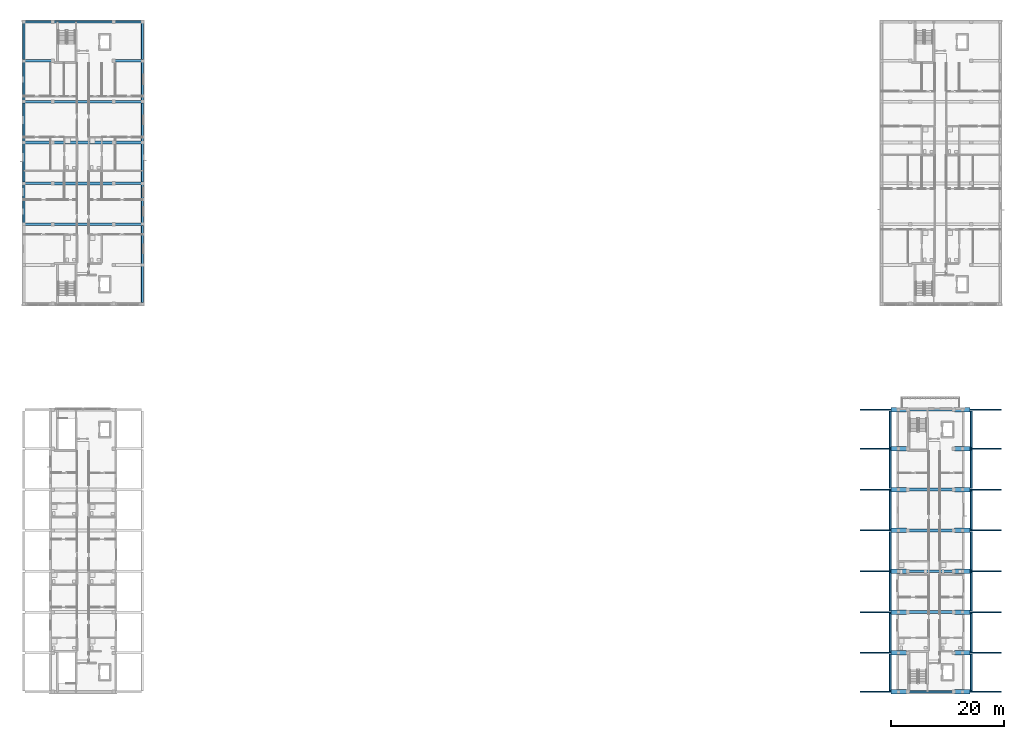
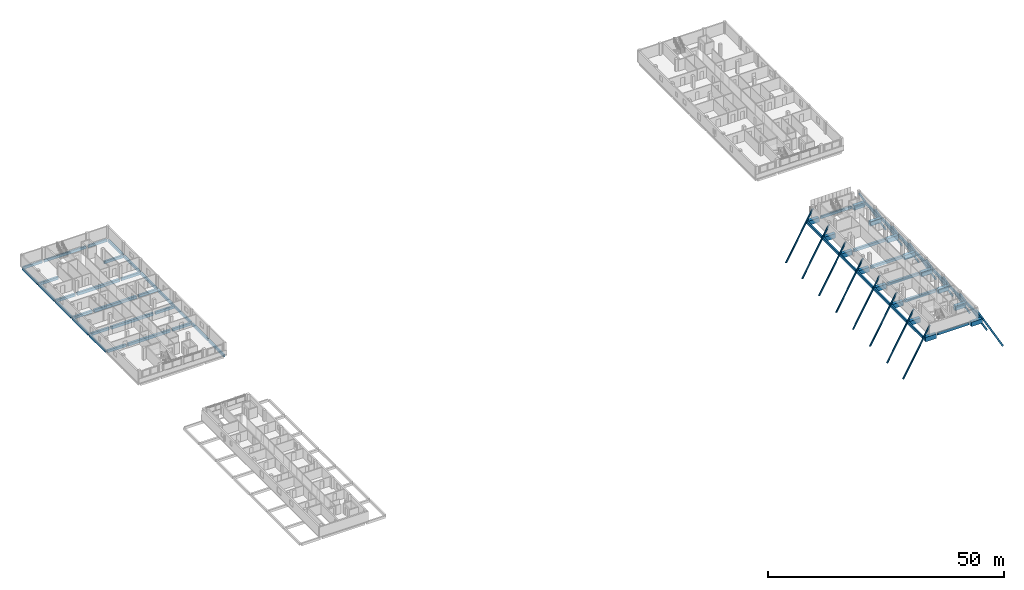
# One storey, part 5 of 34: 65 beams, 16 members.
"""IFC4 building model written with IfcOpenShell, lengths in metres."""

import ifcopenshell
import ifcopenshell.guid

model = None  # the IFC model being written
_history = None  # IfcOwnerHistory: only IFC2X3 demands one
_inside = {}  # id of a spatial element -> (the spatial element, [elements in it])
_under = {}  # id of a project, library or spatial element -> (it, [spatial elements below it])
_declared = {}  # id of a project -> (the project, [libraries it declares])
_typed = {}  # id of a type object -> (the type object, [elements of that type])
_made_of = {}  # id of a material, layer set ... -> (it, [elements and type objects made of it])


def new_model(schema):
    """Start an empty IFC model of exactly this schema.

    Asked for "IFC4X3", IfcOpenShell would pick the latest addendum, in which some entities
    have other attributes; the version numbers below select the first issue.
    IFC2X3 requires an IfcOwnerHistory on every rooted entity: one is made here for all.
    """
    global model, _history
    if schema == "IFC4X3":
        model = ifcopenshell.file(schema_version=(4, 3, 0, 0))
    else:
        model = ifcopenshell.file(schema=schema)
    _inside.clear()
    _under.clear()
    _declared.clear()
    _typed.clear()
    _made_of.clear()
    _history = None
    if model.schema == "IFC2X3":
        org = make("IfcOrganization", Name="unknown")
        user = make(
            "IfcPersonAndOrganization",
            ThePerson=make("IfcPerson", FamilyName="unknown"),
            TheOrganization=org,
        )
        app = make(
            "IfcApplication",
            ApplicationDeveloper=org,
            Version="unknown",
            ApplicationFullName="unknown",
            ApplicationIdentifier="unknown",
        )
        _history = make(
            "IfcOwnerHistory",
            OwningUser=user,
            OwningApplication=app,
            ChangeAction="ADDED",
            CreationDate=0,
        )
    return model


def make(cls, **values):
    """One entity of the class cls with the attributes given. An attribute that is None is left unset."""
    return model.create_entity(
        cls, **{name: value for name, value in values.items() if value is not None}
    )


def rooted(cls, **values):
    """An entity with a GlobalId (a new one), such as an element, a storey or a relation."""
    return make(cls, GlobalId=ifcopenshell.guid.new(), OwnerHistory=_history, **values)


def si_unit(unit_type, name, prefix=None):
    """IfcSIUnit, for example si_unit("LENGTHUNIT", "METRE", prefix="MILLI")."""
    return make("IfcSIUnit", UnitType=unit_type, Prefix=prefix, Name=name)


def derived_unit(unit_type, elements):
    """IfcDerivedUnit: a product of units, each with its exponent."""
    return make(
        "IfcDerivedUnit",
        Elements=[
            make("IfcDerivedUnitElement", Unit=unit, Exponent=power)
            for unit, power in elements
        ],
        UnitType=unit_type,
    )


def assignment(units):
    """IfcUnitAssignment: the units of a project."""
    return None if units is None else make("IfcUnitAssignment", Units=units)


def point(xyz):
    """IfcCartesianPoint."""
    return None if xyz is None else make("IfcCartesianPoint", Coordinates=xyz)


def direction(xyz):
    """IfcDirection."""
    return None if xyz is None else make("IfcDirection", DirectionRatios=xyz)


def frame(location, z_axis=None, x_axis=None):
    """IfcAxis2Placement3D, a coordinate frame: its origin and axes. An axis left out is left unset."""
    return make(
        "IfcAxis2Placement3D",
        Location=point(location),
        Axis=direction(z_axis),
        RefDirection=direction(x_axis),
    )


def frame_2d(location, x_axis=None):
    """IfcAxis2Placement2D, a coordinate frame in the plane: its origin and x axis."""
    return make(
        "IfcAxis2Placement2D", Location=point(location), RefDirection=direction(x_axis)
    )


def origin():
    """The frame at (0, 0, 0) with its axes left unset."""
    return frame((0.0, 0.0, 0.0))


def origin_2d():
    """The frame at (0, 0) in the plane with its x axis left unset."""
    return frame_2d((0.0, 0.0))


def place(relative_to, where):
    """IfcLocalPlacement: puts the frame where relative to a parent placement (None: the world)."""
    return make(
        "IfcLocalPlacement", PlacementRelTo=relative_to, RelativePlacement=where
    )


def context(
    kind, dimensions, precision=None, world=None, true_north=None, identifier=None
):
    """IfcGeometricRepresentationContext, for example the 3D "Model" context."""
    return make(
        "IfcGeometricRepresentationContext",
        ContextIdentifier=identifier,
        ContextType=kind,
        CoordinateSpaceDimension=dimensions,
        Precision=precision,
        WorldCoordinateSystem=world,
        TrueNorth=true_north,
    )


def subcontext(parent, identifier, kind, view, scale=None):
    """IfcGeometricRepresentationSubContext, for example "Body" below "Model"."""
    return make(
        "IfcGeometricRepresentationSubContext",
        ContextIdentifier=identifier,
        ContextType=kind,
        ParentContext=parent,
        TargetScale=scale,
        TargetView=view,
    )


def project(units=None, contexts=None):
    """IfcProject with its units and contexts."""
    return rooted(
        "IfcProject",
        Name="project",
        RepresentationContexts=contexts,
        UnitsInContext=assignment(units),
    )


def spatial(cls, under=None, at=None, **own):
    """A site, building, storey or space (cls), placed at a placement, below another one or the project."""
    s = rooted(cls, ObjectPlacement=at, **own)
    if under is not None:
        _under.setdefault(under.id(), (under, []))[1].append(s)
    return s


def profile(cls, at=None, kind="AREA", **sizes):
    """A parametric profile (cls). Its sizes go by their IFC names, for example OverallWidth=200.0."""
    return make(cls, ProfileType=kind, Position=at, **sizes)


def rectangle(**sizes):
    """IfcRectangleProfileDef."""
    return profile("IfcRectangleProfileDef", **sizes)


def i_section(**sizes):
    """IfcIShapeProfileDef."""
    return profile("IfcIShapeProfileDef", **sizes)


def extrude(swept, where, along, depth):
    """IfcExtrudedAreaSolid: the profile swept, set in the frame where, extruded along a direction by depth."""
    return make(
        "IfcExtrudedAreaSolid",
        SweptArea=swept,
        Position=where,
        ExtrudedDirection=direction(along),
        Depth=depth,
    )


def shape(context_of_items, identifier, shape_type, items):
    """IfcShapeRepresentation: the items that make up one representation, for example the "Body"."""
    return make(
        "IfcShapeRepresentation",
        ContextOfItems=context_of_items,
        RepresentationIdentifier=identifier,
        RepresentationType=shape_type,
        Items=items,
    )


def material(Name=None, Category=None):
    """IfcMaterial."""
    return make("IfcMaterial", Name=Name, Category=Category)


def material_profile(
    of_material, cross_section, Name=None, Category=None, Priority=None
):
    """IfcMaterialProfile: a cross section and its material."""
    return make(
        "IfcMaterialProfile",
        Name=Name,
        Material=of_material,
        Profile=cross_section,
        Priority=Priority,
        Category=Category,
    )


def profile_set(profiles, Name=None, composite=None):
    """IfcMaterialProfileSet."""
    return make(
        "IfcMaterialProfileSet",
        Name=Name,
        MaterialProfiles=profiles,
        CompositeProfile=composite,
    )


def made_of(thing, what):
    """Note that an element or type object is made of a material, layer set ...; save() writes the relation."""
    if what is not None:
        _made_of.setdefault(what.id(), (what, []))[1].append(thing)
    return thing


def type_object(cls, material=None, **own):
    """A type object (cls), such as IfcWallType, which elements share."""
    return made_of(rooted(cls, **own), material)


def element(
    cls,
    number,
    at=None,
    inside=None,
    cuts=None,
    type_object=None,
    material=None,
    context=None,
    identifier="Body",
    shape_type=None,
    held_by="IfcProductDefinitionShape",
    body=None,
    shapes=None,
    **own,
):
    """One element of the class cls, such as IfcWall. Its Tag is "e" and its number.

    at: its placement. inside: the storey or other place that contains it. cuts: it is an
    opening in that element (IfcRelVoidsElement). A single representation is given by context,
    identifier, shape_type and body (its items); several are given by shapes. held_by: the class
    of the entity that holds the representations. save() writes the other relations.
    """
    e = rooted(cls, Tag="e%d" % number, ObjectPlacement=at, **own)
    if body is not None:
        shapes = [shape(context, identifier, shape_type, body)]
    if shapes is not None:
        e.Representation = make(held_by, Representations=shapes)
    if inside is not None:
        _inside.setdefault(inside.id(), (inside, []))[1].append(e)
    if cuts is not None:
        rooted(
            "IfcRelVoidsElement", RelatingBuildingElement=cuts, RelatedOpeningElement=e
        )
    if type_object is not None:
        _typed.setdefault(type_object.id(), (type_object, []))[1].append(e)
    return made_of(e, material)


def aggregate(whole, parts):
    """IfcRelAggregates: a whole, such as a stair, and the parts it consists of."""
    return rooted("IfcRelAggregates", RelatingObject=whole, RelatedObjects=parts)


def save(model, path):
    """Write the relations noted so far, then the file.

    IfcRelAggregates (storeys below a building ...), IfcRelContainedInSpatialStructure (elements
    in a storey), IfcRelDefinesByType, IfcRelAssociatesMaterial and IfcRelDeclares: one each for
    every whole, place, type object, material and project.
    """
    for whole, parts in _under.values():
        aggregate(whole, parts)
    for where, things in _inside.values():
        rooted(
            "IfcRelContainedInSpatialStructure",
            RelatedElements=things,
            RelatingStructure=where,
        )
    for kind, things in _typed.values():
        rooted("IfcRelDefinesByType", RelatedObjects=things, RelatingType=kind)
    for what, things in _made_of.values():
        rooted("IfcRelAssociatesMaterial", RelatedObjects=things, RelatingMaterial=what)
    for by, libraries in _declared.values():
        rooted("IfcRelDeclares", RelatingContext=by, RelatedDefinitions=libraries)
    model.write(path)


model = new_model("IFC4")

# Units and contexts
model_context = context("Model", 3, precision=1e-05, world=origin(), true_north=direction((0.0, 1.0)))
body_context = subcontext(model_context, "Body", "Model", "MODEL_VIEW")
ifc_project = project(units=[si_unit("LENGTHUNIT", "METRE"), si_unit("AREAUNIT", "SQUARE_METRE"), si_unit("VOLUMEUNIT", "CUBIC_METRE"), si_unit("PLANEANGLEUNIT", "RADIAN"), si_unit("MASSUNIT", "GRAM", prefix="KILO"), derived_unit("THERMALTRANSMITTANCEUNIT", [(si_unit("MASSUNIT", "GRAM", prefix="KILO"), 1), (si_unit("TIMEUNIT", "SECOND"), -3), (si_unit("THERMODYNAMICTEMPERATUREUNIT", "KELVIN"), -1)])], contexts=[model_context])

# Site, building, storey
site_placement = place(None, origin())
site = spatial("IfcSite", under=ifc_project, at=site_placement, CompositionType="ELEMENT")
building_placement = place(site_placement, origin())
building = spatial("IfcBuilding", under=site, at=building_placement, Name="Ochrekiln Boulevard Commons", CompositionType="ELEMENT")
storey_placement = place(building_placement, frame((0.0, 0.0, 27.824951171875)))
storey = spatial("IfcBuildingStorey", under=building, at=storey_placement, Name="L08", CompositionType="ELEMENT", Elevation=27.824951171875)

# Beams
ifc_material_1 = material(Name="Concrete C35/45", Category="concrete")
ifc_material_profile_1 = material_profile(ifc_material_1, rectangle(XDim=0.449951171875, YDim=0.64990234375, at=origin_2d()), Name="RC-BM-450x650")
ifc_profile_set_1 = profile_set([ifc_material_profile_1], Name="Concrete C35/45")
beam_type_1 = type_object("IfcBeamType", Name="BM-RC-450x650", PredefinedType="BEAM", material=ifc_profile_set_1)
beam_1_placement = place(storey_placement, frame((0.56005859375, 82.800048828125, -0.574951171875), z_axis=(1.0, 0.0, 0.0), x_axis=(0.0, 1.0, 0.0)))
element("IfcBeam", 1, at=beam_1_placement, inside=storey, type_object=beam_type_1, Name="Block A L08 Beam B-4565 X6", PredefinedType="BEAM", context=body_context, shape_type="SweptSolid", body=[
    extrude(rectangle(XDim=0.449951171875, YDim=0.64990234375, at=origin_2d()), origin(), (0.0, 0.0, 1.0), 4.6298828125),
])
beam_2_placement = place(storey_placement, frame((16.409912109375, 82.800048828125, -0.574951171875), z_axis=(1.0, 0.0, 0.0), x_axis=(0.0, 1.0, 0.0)))
element("IfcBeam", 2, at=beam_2_placement, inside=storey, type_object=beam_type_1, Name="Block A L08 Beam B-4565 X8", PredefinedType="BEAM", context=body_context, shape_type="SweptSolid", body=[
    extrude(rectangle(XDim=0.449951171875, YDim=0.64990234375, at=origin_2d()), origin(), (0.0, 0.0, 1.0), 4.630126953125),
])
beam_3_placement = place(storey_placement, frame((0.56005859375, 90.0, -0.574951171875), z_axis=(1.0, 0.0, 0.0), x_axis=(0.0, 1.0, 0.0)))
element("IfcBeam", 3, at=beam_3_placement, inside=storey, type_object=beam_type_1, Name="Block A L08 Beam B-4565 X9", PredefinedType="BEAM", context=body_context, shape_type="SweptSolid", body=[
    extrude(rectangle(XDim=0.449951171875, YDim=0.64990234375, at=origin_2d()), origin(), (0.0, 0.0, 1.0), 4.6298828125),
])
beam_4_placement = place(storey_placement, frame((16.409912109375, 90.0, -0.574951171875), z_axis=(1.0, 0.0, 0.0), x_axis=(0.0, 1.0, 0.0)))
element("IfcBeam", 4, at=beam_4_placement, inside=storey, type_object=beam_type_1, Name="Block A L08 Beam B-4565 X11", PredefinedType="BEAM", context=body_context, shape_type="SweptSolid", body=[
    extrude(rectangle(XDim=0.449951171875, YDim=0.64990234375, at=origin_2d()), origin(), (0.0, 0.0, 1.0), 4.630126953125),
])
beam_5_placement = place(storey_placement, frame((0.56005859375, 97.199951171875, -0.574951171875), z_axis=(1.0, 0.0, 0.0), x_axis=(0.0, 1.0, 0.0)))
element("IfcBeam", 5, at=beam_5_placement, inside=storey, type_object=beam_type_1, Name="Block A L08 Beam B-4565 X12", PredefinedType="BEAM", context=body_context, shape_type="SweptSolid", body=[
    extrude(rectangle(XDim=0.449951171875, YDim=0.64990234375, at=origin_2d()), origin(), (0.0, 0.0, 1.0), 4.6298828125),
])
beam_6_placement = place(storey_placement, frame((16.409912109375, 97.199951171875, -0.574951171875), z_axis=(1.0, 0.0, 0.0), x_axis=(0.0, 1.0, 0.0)))
element("IfcBeam", 6, at=beam_6_placement, inside=storey, type_object=beam_type_1, Name="Block A L08 Beam B-4565 X14", PredefinedType="BEAM", context=body_context, shape_type="SweptSolid", body=[
    extrude(rectangle(XDim=0.449951171875, YDim=0.64990234375, at=origin_2d()), origin(), (0.0, 0.0, 1.0), 4.630126953125),
])
beam_7_placement = place(storey_placement, frame((0.56005859375, 104.39990234375, -0.574951171875), z_axis=(1.0, 0.0, 0.0), x_axis=(0.0, 1.0, 0.0)))
element("IfcBeam", 7, at=beam_7_placement, inside=storey, type_object=beam_type_1, Name="Block A L08 Beam B-4565 X15", PredefinedType="BEAM", context=body_context, shape_type="SweptSolid", body=[
    extrude(rectangle(XDim=0.449951171875, YDim=0.64990234375, at=origin_2d()), origin(), (0.0, 0.0, 1.0), 4.6298828125),
])
beam_8_placement = place(storey_placement, frame((16.409912109375, 104.39990234375, -0.574951171875), z_axis=(1.0, 0.0, 0.0), x_axis=(0.0, 1.0, 0.0)))
element("IfcBeam", 8, at=beam_8_placement, inside=storey, type_object=beam_type_1, Name="Block A L08 Beam B-4565 X17", PredefinedType="BEAM", context=body_context, shape_type="SweptSolid", body=[
    extrude(rectangle(XDim=0.449951171875, YDim=0.64990234375, at=origin_2d()), origin(), (0.0, 0.0, 1.0), 4.630126953125),
])
beam_9_placement = place(storey_placement, frame((0.56005859375, 111.60009765625, -0.574951171875), z_axis=(1.0, 0.0, 0.0), x_axis=(0.0, 1.0, 0.0)))
element("IfcBeam", 9, at=beam_9_placement, inside=storey, type_object=beam_type_1, Name="Block A L08 Beam B-4565 X18", PredefinedType="BEAM", context=body_context, shape_type="SweptSolid", body=[
    extrude(rectangle(XDim=0.449951171875, YDim=0.64990234375, at=origin_2d()), origin(), (0.0, 0.0, 1.0), 4.6298828125),
])
beam_10_placement = place(storey_placement, frame((16.409912109375, 111.60009765625, -0.574951171875), z_axis=(1.0, 0.0, 0.0), x_axis=(0.0, 1.0, 0.0)))
element("IfcBeam", 10, at=beam_10_placement, inside=storey, type_object=beam_type_1, Name="Block A L08 Beam B-4565 X19", PredefinedType="BEAM", context=body_context, shape_type="SweptSolid", body=[
    extrude(rectangle(XDim=0.449951171875, YDim=0.64990234375, at=origin_2d()), origin(), (0.0, 0.0, 1.0), 4.630126953125),
])
ifc_material_2 = material(Name="Concrete C40/50", Category="concrete")
ifc_material_profile_2 = material_profile(ifc_material_2, rectangle(XDim=0.5, YDim=0.699951171875, at=origin_2d()), Name="RC-BM-500x700")
ifc_profile_set_2 = profile_set([ifc_material_profile_2], Name="Concrete C40/50")
beam_type_2 = type_object("IfcBeamType", Name="BM-RC-500x700", PredefinedType="BEAM", material=ifc_profile_set_2)
for number, where, z_axis, x_axis, name in (
    (11, (5.610107421875, 82.800048828125, -0.599853515625), (1.0, 0.0, 0.0), (0.0, 1.0, 0.0), "Block A L08 Beam B-5070 X7"),
    (12, (5.610107421875, 90.0, -0.599853515625), (1.0, 0.0, 0.0), (0.0, 1.0, 0.0), "Block A L08 Beam B-5070 X10"),
    (13, (5.610107421875, 97.199951171875, -0.599853515625), (1.0, 0.0, 0.0), (0.0, 1.0, 0.0), "Block A L08 Beam B-5070 X13"),
    (14, (5.610107421875, 104.39990234375, -0.599853515625), (1.0, 0.0, 0.0), (0.0, 1.0, 0.0), "Block A L08 Beam B-5070 X16"),
):
    element("IfcBeam", number, at=place(storey_placement, frame(where, z_axis=z_axis, x_axis=x_axis)), inside=storey, type_object=beam_type_2, Name=name, PredefinedType="BEAM", context=body_context, shape_type="SweptSolid", body=[
        extrude(rectangle(XDim=0.5, YDim=0.699951171875, at=origin_2d()), origin(), (0.0, 0.0, 1.0), 10.3798828125),
    ])
for number, where, z_axis, x_axis, name in (
    (15, (156.360107421875, 14.39990234375, -0.599853515625), (1.0, 0.0, 0.0), (0.0, 1.0, 0.0), "Block C L08 Beam B-5070 X7"),
    (16, (156.360107421875, 21.60009765625, -0.599853515625), (1.0, 0.0, 0.0), (0.0, 1.0, 0.0), "Block C L08 Beam B-5070 X10"),
    (17, (156.360107421875, 28.800048828125, -0.599853515625), (1.0, 0.0, 0.0), (0.0, 1.0, 0.0), "Block C L08 Beam B-5070 X13"),
    (18, (156.360107421875, 36.0, -0.599853515625), (1.0, 0.0, 0.0), (0.0, 1.0, 0.0), "Block C L08 Beam B-5070 X16"),
):
    element("IfcBeam", number, at=place(storey_placement, frame(where, z_axis=z_axis, x_axis=x_axis)), inside=storey, type_object=beam_type_2, Name=name, PredefinedType="BEAM", context=body_context, shape_type="SweptSolid", body=[
        extrude(rectangle(XDim=0.5, YDim=0.699951171875, at=origin_2d()), origin(), (0.0, 0.0, 1.0), 7.679931640625),
    ])
ifc_material_profile_3 = material_profile(ifc_material_2, rectangle(XDim=0.800048828125, YDim=1.14990234375, at=origin_2d()), Name="RC-TRG-800x1150")
ifc_profile_set_3 = profile_set([ifc_material_profile_3], Name="Concrete C40/50")
beam_type_3 = type_object("IfcBeamType", Name="BM-TRG-800x1150", PredefinedType="BEAM", material=ifc_profile_set_3)
for number, where, z_axis, x_axis, name in (
    (19, (153.260009765625, 0.35009765625, -0.824951171875), (1.0, 0.0, 0.0), (0.0, 1.0, 0.0), "Block C L08 Beam TG-01 X1"),
    (20, (164.4599609375, 0.35009765625, -0.824951171875), (1.0, 0.0, 0.0), (0.0, 1.0, 0.0), "Block C L08 Beam TG-01 X3"),
    (21, (153.260009765625, 7.199951171875, -0.824951171875), (1.0, 0.0, 0.0), (0.0, 1.0, 0.0), "Block C L08 Beam TG-01 X4"),
    (22, (164.4599609375, 7.199951171875, -0.824951171875), (1.0, 0.0, 0.0), (0.0, 1.0, 0.0), "Block C L08 Beam TG-01 X5"),
    (23, (153.260009765625, 14.39990234375, -0.824951171875), (1.0, 0.0, 0.0), (0.0, 1.0, 0.0), "Block C L08 Beam TG-01 X6"),
    (24, (164.4599609375, 14.39990234375, -0.824951171875), (1.0, 0.0, 0.0), (0.0, 1.0, 0.0), "Block C L08 Beam TG-01 X8"),
    (25, (153.260009765625, 21.60009765625, -0.824951171875), (1.0, 0.0, 0.0), (0.0, 1.0, 0.0), "Block C L08 Beam TG-01 X9"),
    (26, (164.4599609375, 21.60009765625, -0.824951171875), (1.0, 0.0, 0.0), (0.0, 1.0, 0.0), "Block C L08 Beam TG-01 X11"),
    (27, (153.260009765625, 28.800048828125, -0.824951171875), (1.0, 0.0, 0.0), (0.0, 1.0, 0.0), "Block C L08 Beam TG-01 X12"),
    (28, (164.4599609375, 28.800048828125, -0.824951171875), (1.0, 0.0, 0.0), (0.0, 1.0, 0.0), "Block C L08 Beam TG-01 X14"),
    (29, (153.260009765625, 36.0, -0.824951171875), (1.0, 0.0, 0.0), (0.0, 1.0, 0.0), "Block C L08 Beam TG-01 X15"),
    (30, (164.4599609375, 36.0, -0.824951171875), (1.0, 0.0, 0.0), (0.0, 1.0, 0.0), "Block C L08 Beam TG-01 X17"),
    (31, (153.260009765625, 43.199951171875, -0.824951171875), (1.0, 0.0, 0.0), (0.0, 1.0, 0.0), "Block C L08 Beam TG-01 X18"),
    (32, (164.4599609375, 43.199951171875, -0.824951171875), (1.0, 0.0, 0.0), (0.0, 1.0, 0.0), "Block C L08 Beam TG-01 X19"),
    (33, (153.260009765625, 50.050048828125, -0.824951171875), (1.0, 0.0, 0.0), (0.0, 1.0, 0.0), "Block C L08 Beam TG-01 X20"),
    (34, (164.4599609375, 50.050048828125, -0.824951171875), (1.0, 0.0, 0.0), (0.0, 1.0, 0.0), "Block C L08 Beam TG-01 X22"),
):
    element("IfcBeam", number, at=place(storey_placement, frame(where, z_axis=z_axis, x_axis=x_axis)), inside=storey, type_object=beam_type_3, Name=name, PredefinedType="BEAM", context=body_context, shape_type="SweptSolid", body=[
        extrude(rectangle(XDim=0.800048828125, YDim=1.14990234375, at=origin_2d()), origin(), (0.0, 0.0, 1.0), 2.679931640625),
    ])

# Members
ifc_material_3 = material(Name="Steel A992 Grade 50", Category="steel")
ifc_material_profile_4 = material_profile(ifc_material_3, i_section(OverallWidth=0.177978515625, OverallDepth=0.403076171875, WebThickness=0.007568359375, FlangeThickness=0.010986328125, at=origin_2d()), Name="W16X36")
ifc_profile_set_4 = profile_set([ifc_material_profile_4], Name="Steel A992 Grade 50")
member_type = type_object("IfcMemberType", Name="MEM-RAF-W16X36", PredefinedType="RAFTER", material=ifc_profile_set_4)
member_1_placement = place(storey_placement, frame((147.949951171875, 0.35009765625, -9.449951171875), z_axis=(0.488156825034, 0.0, 0.872755930471), x_axis=(0.0, 1.0, 0.0)))
element("IfcMember", 35, at=member_1_placement, inside=storey, type_object=member_type, Name="Block C Mid-Slope Rafter 1W", PredefinedType="RAFTER", context=body_context, shape_type="SweptSolid", body=[
    extrude(i_section(OverallWidth=0.177978515625, OverallDepth=0.403076171875, WebThickness=0.007568359375, FlangeThickness=0.010986328125, at=origin_2d()), origin(), (0.0, 0.0, 1.0), 13.5205078125),
])
member_2_placement = place(storey_placement, frame((172.449951171875, 0.35009765625, -9.449951171875), z_axis=(-0.488143070673, 0.0, 0.872763623528), x_axis=(0.0, -1.0, 0.0)))
element("IfcMember", 36, at=member_2_placement, inside=storey, type_object=member_type, Name="Block C Mid-Slope Rafter 1E", PredefinedType="RAFTER", context=body_context, shape_type="SweptSolid", body=[
    extrude(i_section(OverallWidth=0.177978515625, OverallDepth=0.403076171875, WebThickness=0.007568359375, FlangeThickness=0.010986328125, at=origin_2d()), origin(), (0.0, 0.0, 1.0), 13.520263671875),
])
member_3_placement = place(storey_placement, frame((147.949951171875, 7.199951171875, -9.449951171875), z_axis=(0.488156825034, 0.0, 0.872755930471), x_axis=(0.0, 1.0, 0.0)))
element("IfcMember", 37, at=member_3_placement, inside=storey, type_object=member_type, Name="Block C Mid-Slope Rafter 2W", PredefinedType="RAFTER", context=body_context, shape_type="SweptSolid", body=[
    extrude(i_section(OverallWidth=0.177978515625, OverallDepth=0.403076171875, WebThickness=0.007568359375, FlangeThickness=0.010986328125, at=origin_2d()), origin(), (0.0, 0.0, 1.0), 13.5205078125),
])
member_4_placement = place(storey_placement, frame((172.449951171875, 7.199951171875, -9.449951171875), z_axis=(-0.488143070673, 0.0, 0.872763623528), x_axis=(0.0, -1.0, 0.0)))
element("IfcMember", 38, at=member_4_placement, inside=storey, type_object=member_type, Name="Block C Mid-Slope Rafter 2E", PredefinedType="RAFTER", context=body_context, shape_type="SweptSolid", body=[
    extrude(i_section(OverallWidth=0.177978515625, OverallDepth=0.403076171875, WebThickness=0.007568359375, FlangeThickness=0.010986328125, at=origin_2d()), origin(), (0.0, 0.0, 1.0), 13.520263671875),
])
member_5_placement = place(storey_placement, frame((147.949951171875, 14.39990234375, -9.449951171875), z_axis=(0.488156825034, 0.0, 0.872755930471), x_axis=(0.0, 1.0, 0.0)))
element("IfcMember", 39, at=member_5_placement, inside=storey, type_object=member_type, Name="Block C Mid-Slope Rafter 3W", PredefinedType="RAFTER", context=body_context, shape_type="SweptSolid", body=[
    extrude(i_section(OverallWidth=0.177978515625, OverallDepth=0.403076171875, WebThickness=0.007568359375, FlangeThickness=0.010986328125, at=origin_2d()), origin(), (0.0, 0.0, 1.0), 13.5205078125),
])
member_6_placement = place(storey_placement, frame((172.449951171875, 14.39990234375, -9.449951171875), z_axis=(-0.488143070673, 0.0, 0.872763623528), x_axis=(0.0, -1.0, 0.0)))
element("IfcMember", 40, at=member_6_placement, inside=storey, type_object=member_type, Name="Block C Mid-Slope Rafter 3E", PredefinedType="RAFTER", context=body_context, shape_type="SweptSolid", body=[
    extrude(i_section(OverallWidth=0.177978515625, OverallDepth=0.403076171875, WebThickness=0.007568359375, FlangeThickness=0.010986328125, at=origin_2d()), origin(), (0.0, 0.0, 1.0), 13.520263671875),
])
member_7_placement = place(storey_placement, frame((147.949951171875, 21.60009765625, -9.449951171875), z_axis=(0.488156825034, 0.0, 0.872755930471), x_axis=(0.0, 1.0, 0.0)))
element("IfcMember", 41, at=member_7_placement, inside=storey, type_object=member_type, Name="Block C Mid-Slope Rafter 4W", PredefinedType="RAFTER", context=body_context, shape_type="SweptSolid", body=[
    extrude(i_section(OverallWidth=0.177978515625, OverallDepth=0.403076171875, WebThickness=0.007568359375, FlangeThickness=0.010986328125, at=origin_2d()), origin(), (0.0, 0.0, 1.0), 13.5205078125),
])
member_8_placement = place(storey_placement, frame((172.449951171875, 21.60009765625, -9.449951171875), z_axis=(-0.488143070673, 0.0, 0.872763623528), x_axis=(0.0, -1.0, 0.0)))
element("IfcMember", 42, at=member_8_placement, inside=storey, type_object=member_type, Name="Block C Mid-Slope Rafter 4E", PredefinedType="RAFTER", context=body_context, shape_type="SweptSolid", body=[
    extrude(i_section(OverallWidth=0.177978515625, OverallDepth=0.403076171875, WebThickness=0.007568359375, FlangeThickness=0.010986328125, at=origin_2d()), origin(), (0.0, 0.0, 1.0), 13.520263671875),
])
member_9_placement = place(storey_placement, frame((147.949951171875, 28.800048828125, -9.449951171875), z_axis=(0.488156825034, 0.0, 0.872755930471), x_axis=(0.0, 1.0, 0.0)))
element("IfcMember", 43, at=member_9_placement, inside=storey, type_object=member_type, Name="Block C Mid-Slope Rafter 5W", PredefinedType="RAFTER", context=body_context, shape_type="SweptSolid", body=[
    extrude(i_section(OverallWidth=0.177978515625, OverallDepth=0.403076171875, WebThickness=0.007568359375, FlangeThickness=0.010986328125, at=origin_2d()), origin(), (0.0, 0.0, 1.0), 13.5205078125),
])
member_10_placement = place(storey_placement, frame((172.449951171875, 28.800048828125, -9.449951171875), z_axis=(-0.488143070673, 0.0, 0.872763623528), x_axis=(0.0, -1.0, 0.0)))
element("IfcMember", 44, at=member_10_placement, inside=storey, type_object=member_type, Name="Block C Mid-Slope Rafter 5E", PredefinedType="RAFTER", context=body_context, shape_type="SweptSolid", body=[
    extrude(i_section(OverallWidth=0.177978515625, OverallDepth=0.403076171875, WebThickness=0.007568359375, FlangeThickness=0.010986328125, at=origin_2d()), origin(), (0.0, 0.0, 1.0), 13.520263671875),
])
member_11_placement = place(storey_placement, frame((147.949951171875, 36.0, -9.449951171875), z_axis=(0.488156825034, 0.0, 0.872755930471), x_axis=(0.0, 1.0, 0.0)))
element("IfcMember", 45, at=member_11_placement, inside=storey, type_object=member_type, Name="Block C Mid-Slope Rafter 6W", PredefinedType="RAFTER", context=body_context, shape_type="SweptSolid", body=[
    extrude(i_section(OverallWidth=0.177978515625, OverallDepth=0.403076171875, WebThickness=0.007568359375, FlangeThickness=0.010986328125, at=origin_2d()), origin(), (0.0, 0.0, 1.0), 13.5205078125),
])
member_12_placement = place(storey_placement, frame((172.449951171875, 36.0, -9.449951171875), z_axis=(-0.488143070673, 0.0, 0.872763623528), x_axis=(0.0, -1.0, 0.0)))
element("IfcMember", 46, at=member_12_placement, inside=storey, type_object=member_type, Name="Block C Mid-Slope Rafter 6E", PredefinedType="RAFTER", context=body_context, shape_type="SweptSolid", body=[
    extrude(i_section(OverallWidth=0.177978515625, OverallDepth=0.403076171875, WebThickness=0.007568359375, FlangeThickness=0.010986328125, at=origin_2d()), origin(), (0.0, 0.0, 1.0), 13.520263671875),
])
member_13_placement = place(storey_placement, frame((147.949951171875, 43.199951171875, -9.449951171875), z_axis=(0.488156825034, 0.0, 0.872755930471), x_axis=(0.0, 1.0, 0.0)))
element("IfcMember", 47, at=member_13_placement, inside=storey, type_object=member_type, Name="Block C Mid-Slope Rafter 7W", PredefinedType="RAFTER", context=body_context, shape_type="SweptSolid", body=[
    extrude(i_section(OverallWidth=0.177978515625, OverallDepth=0.403076171875, WebThickness=0.007568359375, FlangeThickness=0.010986328125, at=origin_2d()), origin(), (0.0, 0.0, 1.0), 13.5205078125),
])
member_14_placement = place(storey_placement, frame((172.449951171875, 43.199951171875, -9.449951171875), z_axis=(-0.488143070673, 0.0, 0.872763623528), x_axis=(0.0, -1.0, 0.0)))
element("IfcMember", 48, at=member_14_placement, inside=storey, type_object=member_type, Name="Block C Mid-Slope Rafter 7E", PredefinedType="RAFTER", context=body_context, shape_type="SweptSolid", body=[
    extrude(i_section(OverallWidth=0.177978515625, OverallDepth=0.403076171875, WebThickness=0.007568359375, FlangeThickness=0.010986328125, at=origin_2d()), origin(), (0.0, 0.0, 1.0), 13.520263671875),
])
member_15_placement = place(storey_placement, frame((147.949951171875, 50.050048828125, -9.449951171875), z_axis=(0.488156825034, 0.0, 0.872755930471), x_axis=(0.0, 1.0, 0.0)))
element("IfcMember", 49, at=member_15_placement, inside=storey, type_object=member_type, Name="Block C Mid-Slope Rafter 8W", PredefinedType="RAFTER", context=body_context, shape_type="SweptSolid", body=[
    extrude(i_section(OverallWidth=0.177978515625, OverallDepth=0.403076171875, WebThickness=0.007568359375, FlangeThickness=0.010986328125, at=origin_2d()), origin(), (0.0, 0.0, 1.0), 13.5205078125),
])
member_16_placement = place(storey_placement, frame((172.449951171875, 50.050048828125, -9.449951171875), z_axis=(-0.488143070673, 0.0, 0.872763623528), x_axis=(0.0, -1.0, 0.0)))
element("IfcMember", 50, at=member_16_placement, inside=storey, type_object=member_type, Name="Block C Mid-Slope Rafter 8E", PredefinedType="RAFTER", context=body_context, shape_type="SweptSolid", body=[
    extrude(i_section(OverallWidth=0.177978515625, OverallDepth=0.403076171875, WebThickness=0.007568359375, FlangeThickness=0.010986328125, at=origin_2d()), origin(), (0.0, 0.0, 1.0), 13.520263671875),
])

# Beams
ifc_material_profile_5 = material_profile(ifc_material_2, rectangle(XDim=0.35009765625, YDim=0.64990234375, at=origin_2d()), Name="RC-SPN-350x650")
ifc_profile_set_5 = profile_set([ifc_material_profile_5], Name="Concrete C40/50")
beam_type_4 = type_object("IfcBeamType", Name="SPN-RC-350x650", PredefinedType="SPANDREL", material=ifc_profile_set_5)
beam_11_placement = place(storey_placement, frame((0.56005859375, 118.449951171875, -0.574951171875), z_axis=(1.0, 0.0, 0.0), x_axis=(0.0, 1.0, 0.0)))
element("IfcBeam", 51, at=beam_11_placement, inside=storey, type_object=beam_type_4, Name="Block A L08 Beam SP-3565 X20", PredefinedType="SPANDREL", context=body_context, shape_type="SweptSolid", body=[
    extrude(rectangle(XDim=0.35009765625, YDim=0.64990234375, at=origin_2d()), origin(), (0.0, 0.0, 1.0), 4.6298828125),
])
beam_12_placement = place(storey_placement, frame((5.610107421875, 118.449951171875, -0.574951171875), z_axis=(1.0, 0.0, 0.0), x_axis=(0.0, 1.0, 0.0)))
element("IfcBeam", 52, at=beam_12_placement, inside=storey, type_object=beam_type_4, Name="Block A L08 Beam SP-3565 X21", PredefinedType="SPANDREL", context=body_context, shape_type="SweptSolid", body=[
    extrude(rectangle(XDim=0.35009765625, YDim=0.64990234375, at=origin_2d()), origin(), (0.0, 0.0, 1.0), 10.3798828125),
])
beam_13_placement = place(storey_placement, frame((16.409912109375, 118.449951171875, -0.574951171875), z_axis=(1.0, 0.0, 0.0), x_axis=(0.0, 1.0, 0.0)))
element("IfcBeam", 53, at=beam_13_placement, inside=storey, type_object=beam_type_4, Name="Block A L08 Beam SP-3565 X22", PredefinedType="SPANDREL", context=body_context, shape_type="SweptSolid", body=[
    extrude(rectangle(XDim=0.35009765625, YDim=0.64990234375, at=origin_2d()), origin(), (0.0, 0.0, 1.0), 4.630126953125),
])
for number, where, z_axis, x_axis, name in (
    (54, (0.35009765625, 83.010009765625, -0.574951171875), (0.0, 1.0, 0.0), (-1.0, 0.0, 0.0), "Block A L08 Beam SP-3565 Y25"),
    (55, (0.35009765625, 90.2099609375, -0.574951171875), (0.0, 1.0, 0.0), (-1.0, 0.0, 0.0), "Block A L08 Beam SP-3565 Y26"),
    (56, (0.35009765625, 97.409912109375, -0.574951171875), (0.0, 1.0, 0.0), (-1.0, 0.0, 0.0), "Block A L08 Beam SP-3565 Y27"),
):
    element("IfcBeam", number, at=place(storey_placement, frame(where, z_axis=z_axis, x_axis=x_axis)), inside=storey, type_object=beam_type_4, Name=name, PredefinedType="SPANDREL", context=body_context, shape_type="SweptSolid", body=[
        extrude(rectangle(XDim=0.35009765625, YDim=0.64990234375, at=origin_2d()), origin(), (0.0, 0.0, 1.0), 6.780029296875),
    ])
beam_14_placement = place(storey_placement, frame((0.35009765625, 104.610107421875, -0.574951171875), z_axis=(0.0, 1.0, 0.0), x_axis=(-1.0, 0.0, 0.0)))
element("IfcBeam", 57, at=beam_14_placement, inside=storey, type_object=beam_type_4, Name="Block A L08 Beam SP-3565 Y28", PredefinedType="SPANDREL", context=body_context, shape_type="SweptSolid", body=[
    extrude(rectangle(XDim=0.35009765625, YDim=0.64990234375, at=origin_2d()), origin(), (0.0, 0.0, 1.0), 6.77978515625),
])
for number, where, z_axis, x_axis, name in (
    (58, (0.35009765625, 111.81005859375, -0.574951171875), (0.0, 1.0, 0.0), (-1.0, 0.0, 0.0), "Block A L08 Beam SP-3565 Y29"),
    (59, (21.25, 68.9599609375, -0.574951171875), (0.0, 1.0, 0.0), (-1.0, 0.0, 0.0), "Block A L08 Beam SP-3565 Y30"),
):
    element("IfcBeam", number, at=place(storey_placement, frame(where, z_axis=z_axis, x_axis=x_axis)), inside=storey, type_object=beam_type_4, Name=name, PredefinedType="SPANDREL", context=body_context, shape_type="SweptSolid", body=[
        extrude(rectangle(XDim=0.35009765625, YDim=0.64990234375, at=origin_2d()), origin(), (0.0, 0.0, 1.0), 6.429931640625),
    ])
for number, where, z_axis, x_axis, name in (
    (60, (21.25, 75.81005859375, -0.574951171875), (0.0, 1.0, 0.0), (-1.0, 0.0, 0.0), "Block A L08 Beam SP-3565 Y31"),
    (61, (21.25, 83.010009765625, -0.574951171875), (0.0, 1.0, 0.0), (-1.0, 0.0, 0.0), "Block A L08 Beam SP-3565 Y32"),
    (62, (21.25, 90.2099609375, -0.574951171875), (0.0, 1.0, 0.0), (-1.0, 0.0, 0.0), "Block A L08 Beam SP-3565 Y33"),
    (63, (21.25, 97.409912109375, -0.574951171875), (0.0, 1.0, 0.0), (-1.0, 0.0, 0.0), "Block A L08 Beam SP-3565 Y34"),
):
    element("IfcBeam", number, at=place(storey_placement, frame(where, z_axis=z_axis, x_axis=x_axis)), inside=storey, type_object=beam_type_4, Name=name, PredefinedType="SPANDREL", context=body_context, shape_type="SweptSolid", body=[
        extrude(rectangle(XDim=0.35009765625, YDim=0.64990234375, at=origin_2d()), origin(), (0.0, 0.0, 1.0), 6.780029296875),
    ])
beam_15_placement = place(storey_placement, frame((21.25, 104.610107421875, -0.574951171875), z_axis=(0.0, 1.0, 0.0), x_axis=(-1.0, 0.0, 0.0)))
element("IfcBeam", 64, at=beam_15_placement, inside=storey, type_object=beam_type_4, Name="Block A L08 Beam SP-3565 Y35", PredefinedType="SPANDREL", context=body_context, shape_type="SweptSolid", body=[
    extrude(rectangle(XDim=0.35009765625, YDim=0.64990234375, at=origin_2d()), origin(), (0.0, 0.0, 1.0), 6.77978515625),
])
beam_16_placement = place(storey_placement, frame((21.25, 111.81005859375, -0.574951171875), z_axis=(0.0, 1.0, 0.0), x_axis=(-1.0, 0.0, 0.0)))
element("IfcBeam", 65, at=beam_16_placement, inside=storey, type_object=beam_type_4, Name="Block A L08 Beam SP-3565 Y36", PredefinedType="SPANDREL", context=body_context, shape_type="SweptSolid", body=[
    extrude(rectangle(XDim=0.35009765625, YDim=0.64990234375, at=origin_2d()), origin(), (0.0, 0.0, 1.0), 6.429931640625),
])
for number, where, z_axis, x_axis, name in (
    (66, (156.360107421875, 0.35009765625, -0.574951171875), (1.0, 0.0, 0.0), (0.0, 1.0, 0.0), "Block C L08 Beam SP-3565 X2"),
    (67, (156.360107421875, 50.050048828125, -0.574951171875), (1.0, 0.0, 0.0), (0.0, 1.0, 0.0), "Block C L08 Beam SP-3565 X21"),
):
    element("IfcBeam", number, at=place(storey_placement, frame(where, z_axis=z_axis, x_axis=x_axis)), inside=storey, type_object=beam_type_4, Name=name, PredefinedType="SPANDREL", context=body_context, shape_type="SweptSolid", body=[
        extrude(rectangle(XDim=0.35009765625, YDim=0.64990234375, at=origin_2d()), origin(), (0.0, 0.0, 1.0), 7.679931640625),
    ])
beam_17_placement = place(storey_placement, frame((153.050048828125, 0.56005859375, -0.574951171875), z_axis=(0.0, 1.0, 0.0), x_axis=(-1.0, 0.0, 0.0)))
element("IfcBeam", 68, at=beam_17_placement, inside=storey, type_object=beam_type_4, Name="Block C L08 Beam SP-3565 Y23", PredefinedType="SPANDREL", context=body_context, shape_type="SweptSolid", body=[
    extrude(rectangle(XDim=0.35009765625, YDim=0.64990234375, at=origin_2d()), origin(), (0.0, 0.0, 1.0), 6.429931640625),
])
beam_18_placement = place(storey_placement, frame((153.050048828125, 7.409912109375, -0.574951171875), z_axis=(0.0, 1.0, 0.0), x_axis=(-1.0, 0.0, 0.0)))
element("IfcBeam", 69, at=beam_18_placement, inside=storey, type_object=beam_type_4, Name="Block C L08 Beam SP-3565 Y24", PredefinedType="SPANDREL", context=body_context, shape_type="SweptSolid", body=[
    extrude(rectangle(XDim=0.35009765625, YDim=0.64990234375, at=origin_2d()), origin(), (0.0, 0.0, 1.0), 6.780029296875),
])
beam_19_placement = place(storey_placement, frame((153.050048828125, 14.610107421875, -0.574951171875), z_axis=(0.0, 1.0, 0.0), x_axis=(-1.0, 0.0, 0.0)))
element("IfcBeam", 70, at=beam_19_placement, inside=storey, type_object=beam_type_4, Name="Block C L08 Beam SP-3565 Y25", PredefinedType="SPANDREL", context=body_context, shape_type="SweptSolid", body=[
    extrude(rectangle(XDim=0.35009765625, YDim=0.64990234375, at=origin_2d()), origin(), (0.0, 0.0, 1.0), 6.77978515625),
])
for number, where, z_axis, x_axis, name in (
    (71, (153.050048828125, 21.81005859375, -0.574951171875), (0.0, 1.0, 0.0), (-1.0, 0.0, 0.0), "Block C L08 Beam SP-3565 Y26"),
    (72, (153.050048828125, 29.010009765625, -0.574951171875), (0.0, 1.0, 0.0), (-1.0, 0.0, 0.0), "Block C L08 Beam SP-3565 Y27"),
    (73, (153.050048828125, 36.2099609375, -0.574951171875), (0.0, 1.0, 0.0), (-1.0, 0.0, 0.0), "Block C L08 Beam SP-3565 Y28"),
):
    element("IfcBeam", number, at=place(storey_placement, frame(where, z_axis=z_axis, x_axis=x_axis)), inside=storey, type_object=beam_type_4, Name=name, PredefinedType="SPANDREL", context=body_context, shape_type="SweptSolid", body=[
        extrude(rectangle(XDim=0.35009765625, YDim=0.64990234375, at=origin_2d()), origin(), (0.0, 0.0, 1.0), 6.780029296875),
    ])
beam_20_placement = place(storey_placement, frame((153.050048828125, 43.409912109375, -0.574951171875), z_axis=(0.0, 1.0, 0.0), x_axis=(-1.0, 0.0, 0.0)))
element("IfcBeam", 74, at=beam_20_placement, inside=storey, type_object=beam_type_4, Name="Block C L08 Beam SP-3565 Y29", PredefinedType="SPANDREL", context=body_context, shape_type="SweptSolid", body=[
    extrude(rectangle(XDim=0.35009765625, YDim=0.64990234375, at=origin_2d()), origin(), (0.0, 0.0, 1.0), 6.43017578125),
])
beam_21_placement = place(storey_placement, frame((167.35009765625, 0.56005859375, -0.574951171875), z_axis=(0.0, 1.0, 0.0), x_axis=(-1.0, 0.0, 0.0)))
element("IfcBeam", 75, at=beam_21_placement, inside=storey, type_object=beam_type_4, Name="Block C L08 Beam SP-3565 Y30", PredefinedType="SPANDREL", context=body_context, shape_type="SweptSolid", body=[
    extrude(rectangle(XDim=0.35009765625, YDim=0.64990234375, at=origin_2d()), origin(), (0.0, 0.0, 1.0), 6.429931640625),
])
beam_22_placement = place(storey_placement, frame((167.35009765625, 7.409912109375, -0.574951171875), z_axis=(0.0, 1.0, 0.0), x_axis=(-1.0, 0.0, 0.0)))
element("IfcBeam", 76, at=beam_22_placement, inside=storey, type_object=beam_type_4, Name="Block C L08 Beam SP-3565 Y31", PredefinedType="SPANDREL", context=body_context, shape_type="SweptSolid", body=[
    extrude(rectangle(XDim=0.35009765625, YDim=0.64990234375, at=origin_2d()), origin(), (0.0, 0.0, 1.0), 6.780029296875),
])
beam_23_placement = place(storey_placement, frame((167.35009765625, 14.610107421875, -0.574951171875), z_axis=(0.0, 1.0, 0.0), x_axis=(-1.0, 0.0, 0.0)))
element("IfcBeam", 77, at=beam_23_placement, inside=storey, type_object=beam_type_4, Name="Block C L08 Beam SP-3565 Y32", PredefinedType="SPANDREL", context=body_context, shape_type="SweptSolid", body=[
    extrude(rectangle(XDim=0.35009765625, YDim=0.64990234375, at=origin_2d()), origin(), (0.0, 0.0, 1.0), 6.77978515625),
])
for number, where, z_axis, x_axis, name in (
    (78, (167.35009765625, 21.81005859375, -0.574951171875), (0.0, 1.0, 0.0), (-1.0, 0.0, 0.0), "Block C L08 Beam SP-3565 Y33"),
    (79, (167.35009765625, 29.010009765625, -0.574951171875), (0.0, 1.0, 0.0), (-1.0, 0.0, 0.0), "Block C L08 Beam SP-3565 Y34"),
    (80, (167.35009765625, 36.2099609375, -0.574951171875), (0.0, 1.0, 0.0), (-1.0, 0.0, 0.0), "Block C L08 Beam SP-3565 Y35"),
):
    element("IfcBeam", number, at=place(storey_placement, frame(where, z_axis=z_axis, x_axis=x_axis)), inside=storey, type_object=beam_type_4, Name=name, PredefinedType="SPANDREL", context=body_context, shape_type="SweptSolid", body=[
        extrude(rectangle(XDim=0.35009765625, YDim=0.64990234375, at=origin_2d()), origin(), (0.0, 0.0, 1.0), 6.780029296875),
    ])
beam_24_placement = place(storey_placement, frame((167.35009765625, 43.409912109375, -0.574951171875), z_axis=(0.0, 1.0, 0.0), x_axis=(-1.0, 0.0, 0.0)))
element("IfcBeam", 81, at=beam_24_placement, inside=storey, type_object=beam_type_4, Name="Block C L08 Beam SP-3565 Y36", PredefinedType="SPANDREL", context=body_context, shape_type="SweptSolid", body=[
    extrude(rectangle(XDim=0.35009765625, YDim=0.64990234375, at=origin_2d()), origin(), (0.0, 0.0, 1.0), 6.43017578125),
])

save(model, "model.ifc")
